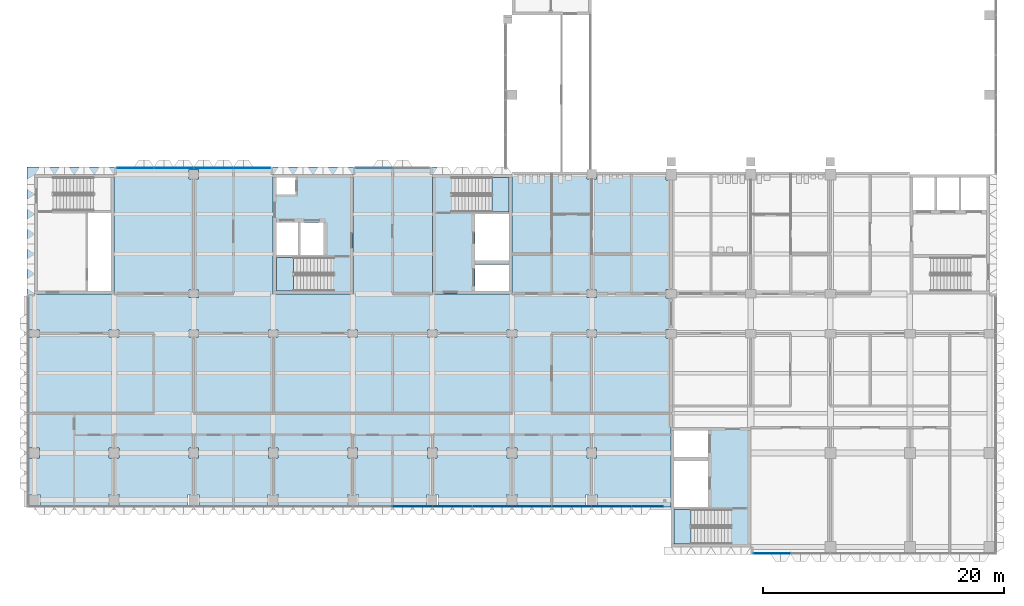
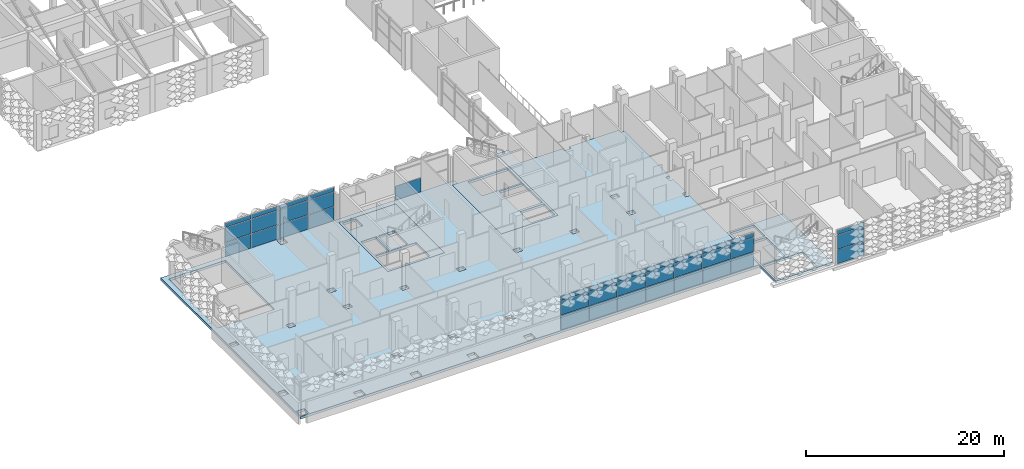
# One storey, part 34 of 102: 37 plates, 7 slabs, 7 elements without a shape of their own.
"""IFC4 building model written with IfcOpenShell, lengths in metres."""

from ifc_helpers import new_model, si_unit, direction, frame, origin, origin_2d, place, context, subcontext, project, spatial, polyline, rectangle, outline, extrude, material, layer, layer_set, type_object, element, aggregate, save


model = new_model("IFC4")

# Units and contexts
model_context = context("Model", 3, precision=1e-05, world=origin(), true_north=direction((0.0, 1.0)))
body_context = subcontext(model_context, "Body", "Model", "MODEL_VIEW")
ifc_project = project(units=[si_unit("LENGTHUNIT", "METRE"), si_unit("AREAUNIT", "SQUARE_METRE"), si_unit("VOLUMEUNIT", "CUBIC_METRE"), si_unit("PLANEANGLEUNIT", "RADIAN"), si_unit("MASSUNIT", "GRAM", prefix="KILO")], contexts=[model_context])

# Site, building, storey
site_placement = place(None, origin())
site = spatial("IfcSite", under=ifc_project, at=site_placement, CompositionType="ELEMENT")
building_placement = place(site_placement, origin())
building = spatial("IfcBuilding", under=site, at=building_placement, Name="Lantern Court Research Institute", CompositionType="ELEMENT")
storey_placement = place(building_placement, frame((0.0, 0.0, 9.89990234375)))
storey = spatial("IfcBuildingStorey", under=building, at=storey_placement, Name="L02", CompositionType="ELEMENT", Elevation=9.89990234375)

# Curtain wall, plates
ifc_material_1 = material(Name="Aluminium alloy 6063-T6", Category="aluminium")
curtain_wall_type_1 = type_object("IfcCurtainWallType", Name="Curtain wall 52800 x 4200 x 150 aluminium frame", PredefinedType="NOTDEFINED", material=ifc_material_1)
curtain_wall_1_placement = place(storey_placement, origin())
curtain_wall_1 = element("IfcCurtainWall", 1, at=curtain_wall_1_placement, inside=storey, type_object=curtain_wall_type_1, Name="Curtain wall CW041", PredefinedType="NOTDEFINED")
ifc_material_2 = material(Name="Insulated aluminium spandrel panel", Category="aluminium")
ifc_layer_1 = layer(ifc_material_2, 0.10009765625)
ifc_layer_set_1 = layer_set([ifc_layer_1], Name="Insulated aluminium spandrel panel")
plate_type_1 = type_object("IfcPlateType", Name="Insulated spandrel panel 100 mm for south sun", PredefinedType="CURTAIN_PANEL", material=ifc_layer_set_1)
plate_1_placement = place(storey_placement, frame((31.35009765625, -4.425048828125, 0.06005859375), z_axis=(0.0, 0.0, 1.0), x_axis=(-1.0, 0.0, 0.0)))
plate_1 = element("IfcPlate", 2, at=plate_1_placement, type_object=plate_type_1, Name="CW041 spandrel panel 10.1", PredefinedType="CURTAIN_PANEL", context=body_context, shape_type="SweptSolid", body=[
    extrude(rectangle(XDim=3.239990234375, YDim=0.10009765625, at=origin_2d()), origin(), (0.0, 0.0, 1.0), 1.7099609375),
])
plate_2_placement = place(storey_placement, frame((34.64990234375, -4.425048828125, 0.06005859375), z_axis=(0.0, 0.0, 1.0), x_axis=(-1.0, 0.0, 0.0)))
plate_2 = element("IfcPlate", 3, at=plate_2_placement, type_object=plate_type_1, Name="CW041 spandrel panel 11.1", PredefinedType="CURTAIN_PANEL", context=body_context, shape_type="SweptSolid", body=[
    extrude(rectangle(XDim=3.239990234375, YDim=0.10009765625, at=origin_2d()), origin(), (0.0, 0.0, 1.0), 1.7099609375),
])
plate_3_placement = place(storey_placement, frame((37.949951171875, -4.425048828125, 0.06005859375), z_axis=(0.0, 0.0, 1.0), x_axis=(-1.0, 0.0, 0.0)))
plate_3 = element("IfcPlate", 4, at=plate_3_placement, type_object=plate_type_1, Name="CW041 spandrel panel 12.1", PredefinedType="CURTAIN_PANEL", context=body_context, shape_type="SweptSolid", body=[
    extrude(rectangle(XDim=3.239990234375, YDim=0.10009765625, at=origin_2d()), origin(), (0.0, 0.0, 1.0), 1.7099609375),
])
plate_4_placement = place(storey_placement, frame((41.25, -4.425048828125, 0.06005859375), z_axis=(0.0, 0.0, 1.0), x_axis=(-1.0, 0.0, 0.0)))
plate_4 = element("IfcPlate", 5, at=plate_4_placement, type_object=plate_type_1, Name="CW041 spandrel panel 13.1", PredefinedType="CURTAIN_PANEL", context=body_context, shape_type="SweptSolid", body=[
    extrude(rectangle(XDim=3.239990234375, YDim=0.10009765625, at=origin_2d()), origin(), (0.0, 0.0, 1.0), 1.7099609375),
])
plate_5_placement = place(storey_placement, frame((44.550048828125, -4.425048828125, 0.06005859375), z_axis=(0.0, 0.0, 1.0), x_axis=(-1.0, 0.0, 0.0)))
plate_5 = element("IfcPlate", 6, at=plate_5_placement, type_object=plate_type_1, Name="CW041 spandrel panel 14.1", PredefinedType="CURTAIN_PANEL", context=body_context, shape_type="SweptSolid", body=[
    extrude(rectangle(XDim=3.239990234375, YDim=0.10009765625, at=origin_2d()), origin(), (0.0, 0.0, 1.0), 1.7099609375),
])
plate_6_placement = place(storey_placement, frame((47.85009765625, -4.425048828125, 0.06005859375), z_axis=(0.0, 0.0, 1.0), x_axis=(-1.0, 0.0, 0.0)))
plate_6 = element("IfcPlate", 7, at=plate_6_placement, type_object=plate_type_1, Name="CW041 spandrel panel 15.1", PredefinedType="CURTAIN_PANEL", context=body_context, shape_type="SweptSolid", body=[
    extrude(rectangle(XDim=3.239990234375, YDim=0.10009765625, at=origin_2d()), origin(), (0.0, 0.0, 1.0), 1.7099609375),
])
plate_7_placement = place(storey_placement, frame((50.8349609375, -4.425048828125, 0.06005859375), z_axis=(0.0, 0.0, 1.0), x_axis=(-1.0, 0.0, 0.0)))
plate_7 = element("IfcPlate", 8, at=plate_7_placement, type_object=plate_type_1, Name="CW041 spandrel panel 16.1", PredefinedType="CURTAIN_PANEL", context=body_context, shape_type="SweptSolid", body=[
    extrude(rectangle(XDim=2.610107421875, YDim=0.10009765625, at=origin_2d()), origin(), (0.0, 0.0, 1.0), 1.7099609375),
])

# Curtain wall, plate
ifc_material_3 = material(Name="Aluminium alloy 6063-T6", Category="aluminium")
curtain_wall_type_2 = type_object("IfcCurtainWallType", Name="Curtain wall 20200 x 4200 x 150 aluminium frame", PredefinedType="NOTDEFINED", material=ifc_material_3)
curtain_wall_2_placement = place(storey_placement, origin())
curtain_wall_2 = element("IfcCurtainWall", 9, at=curtain_wall_2_placement, inside=storey, type_object=curtain_wall_type_2, Name="Curtain wall CW044", PredefinedType="NOTDEFINED")
plate_8_placement = place(storey_placement, frame((61.1650390625, -8.324951171875, 0.06005859375), z_axis=(0.0, 0.0, 1.0), x_axis=(-1.0, 0.0, 0.0)))
plate_8 = element("IfcPlate", 10, at=plate_8_placement, type_object=plate_type_1, Name="CW044 spandrel panel 1.1", PredefinedType="CURTAIN_PANEL", context=body_context, shape_type="SweptSolid", body=[
    extrude(rectangle(XDim=3.010009765625, YDim=0.10009765625, at=origin_2d()), origin(), (0.0, 0.0, 1.0), 1.7099609375),
])

# Curtain wall, plates
ifc_material_4 = material(Name="Aluminium alloy 6063-T6", Category="aluminium")
curtain_wall_type_3 = type_object("IfcCurtainWallType", Name="Curtain wall 12800 x 4200 x 150 aluminium frame", PredefinedType="NOTDEFINED", material=ifc_material_4)
curtain_wall_3_placement = place(storey_placement, origin())
curtain_wall_3 = element("IfcCurtainWall", 11, at=curtain_wall_3_placement, inside=storey, type_object=curtain_wall_type_3, Name="Curtain wall CW039", PredefinedType="NOTDEFINED")
ifc_material_5 = material(Name="Insulated aluminium spandrel panel", Category="aluminium")
ifc_layer_2 = layer(ifc_material_5, 0.06005859375)
ifc_layer_set_2 = layer_set([ifc_layer_2], Name="Insulated aluminium spandrel panel")
plate_type_2 = type_object("IfcPlateType", Name="Insulated spandrel panel 60 mm", PredefinedType="CURTAIN_PANEL", material=ifc_layer_set_2)
plate_9_placement = place(storey_placement, frame((8.364990234375, 23.625, 0.06005859375), z_axis=(0.0, 0.0, 1.0), x_axis=(1.0, 0.0, 0.0)))
plate_9 = element("IfcPlate", 12, at=plate_9_placement, type_object=plate_type_2, Name="CW039 spandrel panel 1.1", PredefinedType="CURTAIN_PANEL", context=body_context, shape_type="SweptSolid", body=[
    extrude(rectangle(XDim=3.010009765625, YDim=0.06005859375, at=origin_2d()), origin(), (0.0, 0.0, 1.0), 1.7099609375),
])
plate_10_placement = place(storey_placement, frame((11.550048828125, 23.625, 0.06005859375), z_axis=(0.0, 0.0, 1.0), x_axis=(1.0, 0.0, 0.0)))
plate_10 = element("IfcPlate", 13, at=plate_10_placement, type_object=plate_type_2, Name="CW039 spandrel panel 2.1", PredefinedType="CURTAIN_PANEL", context=body_context, shape_type="SweptSolid", body=[
    extrude(rectangle(XDim=3.239990234375, YDim=0.06005859375, at=origin_2d()), origin(), (0.0, 0.0, 1.0), 1.7099609375),
])
plate_11_placement = place(storey_placement, frame((14.85009765625, 23.625, 0.06005859375), z_axis=(0.0, 0.0, 1.0), x_axis=(1.0, 0.0, 0.0)))
plate_11 = element("IfcPlate", 14, at=plate_11_placement, type_object=plate_type_2, Name="CW039 spandrel panel 3.1", PredefinedType="CURTAIN_PANEL", context=body_context, shape_type="SweptSolid", body=[
    extrude(rectangle(XDim=3.239990234375, YDim=0.06005859375, at=origin_2d()), origin(), (0.0, 0.0, 1.0), 1.7099609375),
])
plate_12_placement = place(storey_placement, frame((18.034912109375, 23.625, 0.06005859375), z_axis=(0.0, 0.0, 1.0), x_axis=(1.0, 0.0, 0.0)))
plate_12 = element("IfcPlate", 15, at=plate_12_placement, type_object=plate_type_2, Name="CW039 spandrel panel 4.1", PredefinedType="CURTAIN_PANEL", context=body_context, shape_type="SweptSolid", body=[
    extrude(rectangle(XDim=3.010009765625, YDim=0.06005859375, at=origin_2d()), origin(), (0.0, 0.0, 1.0), 1.7099609375),
])

# Curtain wall, plate
ifc_material_6 = material(Name="Aluminium alloy 6063-T6", Category="aluminium")
curtain_wall_type_4 = type_object("IfcCurtainWallType", Name="Curtain wall 6200 x 4200 x 150 aluminium frame", PredefinedType="NOTDEFINED", material=ifc_material_6)
curtain_wall_4_placement = place(storey_placement, origin())
curtain_wall_4 = element("IfcCurtainWall", 16, at=curtain_wall_4_placement, inside=storey, type_object=curtain_wall_type_4, Name="Curtain wall CW040", PredefinedType="NOTDEFINED")
plate_13_placement = place(storey_placement, frame((28.1650390625, 23.625, 0.06005859375), z_axis=(0.0, 0.0, 1.0), x_axis=(1.0, 0.0, 0.0)))
plate_13 = element("IfcPlate", 17, at=plate_13_placement, type_object=plate_type_2, Name="CW040 spandrel panel 1.1", PredefinedType="CURTAIN_PANEL", context=body_context, shape_type="SweptSolid", body=[
    extrude(rectangle(XDim=3.010009765625, YDim=0.06005859375, at=origin_2d()), origin(), (0.0, 0.0, 1.0), 1.7099609375),
])
aggregate(curtain_wall_4, [plate_13])

# Plate
ifc_material_7 = material(Name="Laminated low-emissivity glass", Category="glass")
ifc_layer_3 = layer(ifc_material_7, 0.028076171875)
ifc_layer_set_3 = layer_set([ifc_layer_3], Name="Laminated low-emissivity glass")
plate_type_3 = type_object("IfcPlateType", Name="Laminated low-emissivity unit 28 mm", PredefinedType="CURTAIN_PANEL", material=ifc_layer_set_3)
plate_14_placement = place(storey_placement, frame((8.364990234375, 23.625, 1.830078125), z_axis=(0.0, 0.0, 1.0), x_axis=(1.0, 0.0, 0.0)))
plate_14 = element("IfcPlate", 18, at=plate_14_placement, type_object=plate_type_3, Name="CW039 glazed panel 1.2", PredefinedType="CURTAIN_PANEL", context=body_context, shape_type="SweptSolid", body=[
    extrude(rectangle(XDim=3.010009765625, YDim=0.028076171875, at=origin_2d()), origin(), (0.0, 0.0, 1.0), 1.739990234375),
])

plate_15_placement = place(storey_placement, frame((8.364990234375, 23.625, 3.6298828125), z_axis=(0.0, 0.0, 1.0), x_axis=(1.0, 0.0, 0.0)))
plate_15 = element("IfcPlate", 19, at=plate_15_placement, type_object=plate_type_3, Name="CW039 glazed panel 1.3", PredefinedType="CURTAIN_PANEL", context=body_context, shape_type="SweptSolid", body=[
    extrude(rectangle(XDim=3.010009765625, YDim=0.028076171875, at=origin_2d()), origin(), (0.0, 0.0, 1.0), 0.510009765625),
])

plate_16_placement = place(storey_placement, frame((11.550048828125, 23.625, 1.830078125), z_axis=(0.0, 0.0, 1.0), x_axis=(1.0, 0.0, 0.0)))
plate_16 = element("IfcPlate", 20, at=plate_16_placement, type_object=plate_type_3, Name="CW039 glazed panel 2.2", PredefinedType="CURTAIN_PANEL", context=body_context, shape_type="SweptSolid", body=[
    extrude(rectangle(XDim=3.239990234375, YDim=0.028076171875, at=origin_2d()), origin(), (0.0, 0.0, 1.0), 1.739990234375),
])

plate_17_placement = place(storey_placement, frame((11.550048828125, 23.625, 3.6298828125), z_axis=(0.0, 0.0, 1.0), x_axis=(1.0, 0.0, 0.0)))
plate_17 = element("IfcPlate", 21, at=plate_17_placement, type_object=plate_type_3, Name="CW039 glazed panel 2.3", PredefinedType="CURTAIN_PANEL", context=body_context, shape_type="SweptSolid", body=[
    extrude(rectangle(XDim=3.239990234375, YDim=0.028076171875, at=origin_2d()), origin(), (0.0, 0.0, 1.0), 0.510009765625),
])

plate_18_placement = place(storey_placement, frame((14.85009765625, 23.625, 1.830078125), z_axis=(0.0, 0.0, 1.0), x_axis=(1.0, 0.0, 0.0)))
plate_18 = element("IfcPlate", 22, at=plate_18_placement, type_object=plate_type_3, Name="CW039 glazed panel 3.2", PredefinedType="CURTAIN_PANEL", context=body_context, shape_type="SweptSolid", body=[
    extrude(rectangle(XDim=3.239990234375, YDim=0.028076171875, at=origin_2d()), origin(), (0.0, 0.0, 1.0), 1.739990234375),
])

plate_19_placement = place(storey_placement, frame((14.85009765625, 23.625, 3.6298828125), z_axis=(0.0, 0.0, 1.0), x_axis=(1.0, 0.0, 0.0)))
plate_19 = element("IfcPlate", 23, at=plate_19_placement, type_object=plate_type_3, Name="CW039 glazed panel 3.3", PredefinedType="CURTAIN_PANEL", context=body_context, shape_type="SweptSolid", body=[
    extrude(rectangle(XDim=3.239990234375, YDim=0.028076171875, at=origin_2d()), origin(), (0.0, 0.0, 1.0), 0.510009765625),
])

plate_20_placement = place(storey_placement, frame((18.034912109375, 23.625, 1.830078125), z_axis=(0.0, 0.0, 1.0), x_axis=(1.0, 0.0, 0.0)))
plate_20 = element("IfcPlate", 24, at=plate_20_placement, type_object=plate_type_3, Name="CW039 glazed panel 4.2", PredefinedType="CURTAIN_PANEL", context=body_context, shape_type="SweptSolid", body=[
    extrude(rectangle(XDim=3.010009765625, YDim=0.028076171875, at=origin_2d()), origin(), (0.0, 0.0, 1.0), 1.739990234375),
])

plate_21_placement = place(storey_placement, frame((18.034912109375, 23.625, 3.6298828125), z_axis=(0.0, 0.0, 1.0), x_axis=(1.0, 0.0, 0.0)))
plate_21 = element("IfcPlate", 25, at=plate_21_placement, type_object=plate_type_3, Name="CW039 glazed panel 4.3", PredefinedType="CURTAIN_PANEL", context=body_context, shape_type="SweptSolid", body=[
    extrude(rectangle(XDim=3.010009765625, YDim=0.028076171875, at=origin_2d()), origin(), (0.0, 0.0, 1.0), 0.510009765625),
])

aggregate(curtain_wall_3, [plate_9, plate_14, plate_15, plate_10, plate_16, plate_17, plate_11, plate_18, plate_19, plate_12, plate_20, plate_21])

# Slabs
ifc_material_8 = material(Name="Concrete C35/45", Category="concrete")
ifc_layer_4 = layer(ifc_material_8, 0.300048828125)
ifc_layer_set_4 = layer_set([ifc_layer_4], Name="Concrete C35/45")
slab_type_1 = type_object("IfcSlabType", Name="RC core floor slab 300", PredefinedType="FLOOR", material=ifc_layer_set_4)
slab_1_placement = place(storey_placement, frame((0.0, 0.0, -0.2998046875)))
element("IfcSlab", 26, at=slab_1_placement, inside=storey, type_object=slab_type_1, Name="Floor of core BC-M", PredefinedType="FLOOR", context=body_context, shape_type="SweptSolid", body=[
    extrude(outline(polyline([(19.800048828125, 13.199951171875), (26.39990234375, 13.199951171875), (26.39990234375, 23.10009765625), (19.800048828125, 23.10009765625), (19.800048828125, 13.199951171875)]), holes=[polyline([(24.800048828125, 16.199951171875), (20.050048828125, 16.199951171875), (20.050048828125, 13.449951171875), (24.800048828125, 13.449951171875), (24.800048828125, 16.199951171875)]), polyline([(20.050048828125, 16.39990234375), (21.85009765625, 16.39990234375), (21.85009765625, 19.10009765625), (20.050048828125, 19.10009765625), (20.050048828125, 16.39990234375)]), polyline([(22.050048828125, 16.39990234375), (23.949951171875, 16.39990234375), (23.949951171875, 19.10009765625), (22.050048828125, 19.10009765625), (22.050048828125, 16.39990234375)]), polyline([(21.64990234375, 21.449951171875), (20.050048828125, 21.449951171875), (20.050048828125, 22.85009765625), (21.64990234375, 22.85009765625), (21.64990234375, 21.449951171875)])]), origin(), (0.0, 0.0, 1.0), 0.2998046875),
])
slab_2_placement = place(storey_placement, frame((0.0, 0.0, -0.2998046875)))
element("IfcSlab", 27, at=slab_2_placement, inside=storey, type_object=slab_type_1, Name="Floor of core BC-E", PredefinedType="FLOOR", context=body_context, shape_type="SweptSolid", body=[
    extrude(outline(polyline([(33.0, 13.199951171875), (39.60009765625, 13.199951171875), (39.60009765625, 23.10009765625), (33.0, 23.10009765625), (33.0, 13.199951171875)]), holes=[polyline([(34.64990234375, 20.0), (39.35009765625, 20.0), (39.35009765625, 22.85009765625), (34.64990234375, 22.85009765625), (34.64990234375, 20.0)]), polyline([(36.550048828125, 13.449951171875), (39.35009765625, 13.449951171875), (39.35009765625, 15.64990234375), (36.550048828125, 15.64990234375), (36.550048828125, 13.449951171875)]), polyline([(39.35009765625, 15.949951171875), (36.550048828125, 15.949951171875), (36.550048828125, 19.800048828125), (39.35009765625, 19.800048828125), (39.35009765625, 15.949951171875)])]), origin(), (0.0, 0.0, 1.0), 0.2998046875),
])
slab_3_placement = place(storey_placement, frame((0.0, 0.0, -0.2998046875)))
element("IfcSlab", 28, at=slab_3_placement, inside=storey, type_object=slab_type_1, Name="Floor of core TC-W", PredefinedType="FLOOR", context=body_context, shape_type="SweptSolid", body=[
    extrude(outline(polyline([(52.800048828125, -7.800048828125), (59.39990234375, -7.800048828125), (59.39990234375, 2.10009765625), (52.800048828125, 2.10009765625), (52.800048828125, -7.800048828125)]), holes=[polyline([(57.75, -4.699951171875), (53.050048828125, -4.699951171875), (53.050048828125, -7.550048828125), (57.75, -7.550048828125), (57.75, -4.699951171875)]), polyline([(53.050048828125, -0.35009765625), (55.85009765625, -0.35009765625), (55.85009765625, 1.85009765625), (53.050048828125, 1.85009765625), (53.050048828125, -0.35009765625)]), polyline([(53.050048828125, -0.64990234375), (55.85009765625, -0.64990234375), (55.85009765625, -4.5), (53.050048828125, -4.5), (53.050048828125, -0.64990234375)])]), origin(), (0.0, 0.0, 1.0), 0.2998046875),
])
ifc_material_9 = material(Name="Concrete C35/45", Category="concrete")
ifc_layer_5 = layer(ifc_material_9, 0.300048828125)
ifc_layer_set_5 = layer_set([ifc_layer_5], Name="Concrete C35/45")
slab_type_2 = type_object("IfcSlabType", Name="RC floor slab 300", PredefinedType="FLOOR", material=ifc_layer_set_5)
slab_4_placement = place(storey_placement, frame((0.0, 0.0, -0.2998046875)))
element("IfcSlab", 29, at=slab_4_placement, inside=storey, type_object=slab_type_2, Name="Floor slab L02 Wet Laboratory Wing", PredefinedType="FLOOR", context=body_context, shape_type="SweptSolid", body=[
    extrude(outline(polyline([(-0.60009765625, -3.89990234375), (-0.60009765625, -4.5), (52.800048828125, -4.5), (52.800048828125, -3.89990234375), (52.800048828125, 2.10009765625), (52.800048828125, 9.550048828125), (52.35009765625, 9.550048828125), (52.35009765625, 10.25), (52.800048828125, 10.25), (52.800048828125, 12.85009765625), (52.35009765625, 12.85009765625), (52.35009765625, 13.550048828125), (52.800048828125, 13.550048828125), (52.800048828125, 22.64990234375), (52.35009765625, 22.64990234375), (52.35009765625, 23.10009765625), (46.60009765625, 23.10009765625), (46.60009765625, 22.699951171875), (45.800048828125, 22.699951171875), (45.800048828125, 23.10009765625), (39.60009765625, 23.10009765625), (39.60009765625, 13.199951171875), (33.0, 13.199951171875), (33.0, 23.10009765625), (33.60009765625, 23.10009765625), (33.60009765625, 23.699951171875), (-0.60009765625, 23.699951171875), (-0.60009765625, 23.10009765625), (-0.60009765625, -3.89990234375)]), holes=[polyline([(0.449951171875, -4.35009765625), (-0.449951171875, -4.35009765625), (-0.449951171875, -3.449951171875), (0.449951171875, -3.449951171875), (0.449951171875, -4.35009765625)]), polyline([(7.050048828125, -4.35009765625), (6.14990234375, -4.35009765625), (6.14990234375, -3.449951171875), (7.050048828125, -3.449951171875), (7.050048828125, -4.35009765625)]), polyline([(13.64990234375, -4.35009765625), (12.75, -4.35009765625), (12.75, -3.449951171875), (13.64990234375, -3.449951171875), (13.64990234375, -4.35009765625)]), polyline([(-0.39990234375, -0.39990234375), (-0.39990234375, 0.39990234375), (0.39990234375, 0.39990234375), (0.39990234375, -0.39990234375), (-0.39990234375, -0.39990234375)]), polyline([(6.199951171875, -0.39990234375), (6.199951171875, 0.39990234375), (7.0, 0.39990234375), (7.0, -0.39990234375), (6.199951171875, -0.39990234375)]), polyline([(13.60009765625, -0.39990234375), (12.800048828125, -0.39990234375), (12.800048828125, 0.39990234375), (13.60009765625, 0.39990234375), (13.60009765625, -0.39990234375)]), polyline([(19.39990234375, -0.39990234375), (19.39990234375, 0.39990234375), (20.199951171875, 0.39990234375), (20.199951171875, -0.39990234375), (19.39990234375, -0.39990234375)]), polyline([(-0.39990234375, 9.60009765625), (-0.39990234375, 10.199951171875), (0.39990234375, 10.199951171875), (0.39990234375, 9.60009765625), (-0.39990234375, 9.60009765625)]), polyline([(7.0, 9.60009765625), (6.199951171875, 9.60009765625), (6.199951171875, 10.199951171875), (7.0, 10.199951171875), (7.0, 9.60009765625)]), polyline([(12.800048828125, 9.60009765625), (12.800048828125, 10.199951171875), (13.60009765625, 10.199951171875), (13.60009765625, 9.60009765625), (12.800048828125, 9.60009765625)]), polyline([(12.800048828125, 12.89990234375), (12.800048828125, 13.5), (13.60009765625, 13.5), (13.60009765625, 12.89990234375), (12.800048828125, 12.89990234375)]), polyline([(6.60009765625, 13.199951171875), (0.0, 13.199951171875), (0.0, 23.10009765625), (6.60009765625, 23.10009765625), (6.60009765625, 13.199951171875)]), polyline([(13.60009765625, 22.699951171875), (12.800048828125, 22.699951171875), (12.800048828125, 23.5), (13.60009765625, 23.5), (13.60009765625, 22.699951171875)]), polyline([(19.35009765625, -4.35009765625), (19.35009765625, -3.449951171875), (20.25, -3.449951171875), (20.25, -4.35009765625), (19.35009765625, -4.35009765625)]), polyline([(26.85009765625, -4.35009765625), (25.949951171875, -4.35009765625), (25.949951171875, -3.449951171875), (26.85009765625, -3.449951171875), (26.85009765625, -4.35009765625)]), polyline([(32.550048828125, -4.35009765625), (32.550048828125, -3.449951171875), (33.449951171875, -3.449951171875), (33.449951171875, -4.35009765625), (32.550048828125, -4.35009765625)]), polyline([(39.14990234375, -4.35009765625), (39.14990234375, -3.449951171875), (40.050048828125, -3.449951171875), (40.050048828125, -4.35009765625), (39.14990234375, -4.35009765625)]), polyline([(26.800048828125, -0.39990234375), (26.0, -0.39990234375), (26.0, 0.39990234375), (26.800048828125, 0.39990234375), (26.800048828125, -0.39990234375)]), polyline([(32.60009765625, -0.39990234375), (32.60009765625, 0.39990234375), (33.39990234375, 0.39990234375), (33.39990234375, -0.39990234375), (32.60009765625, -0.39990234375)]), polyline([(39.199951171875, -0.39990234375), (39.199951171875, 0.39990234375), (40.0, 0.39990234375), (40.0, -0.39990234375), (39.199951171875, -0.39990234375)]), polyline([(20.199951171875, 9.60009765625), (19.39990234375, 9.60009765625), (19.39990234375, 10.199951171875), (20.199951171875, 10.199951171875), (20.199951171875, 9.60009765625)]), polyline([(26.800048828125, 9.60009765625), (26.0, 9.60009765625), (26.0, 10.199951171875), (26.800048828125, 10.199951171875), (26.800048828125, 9.60009765625)]), polyline([(33.39990234375, 9.60009765625), (32.60009765625, 9.60009765625), (32.60009765625, 10.199951171875), (33.39990234375, 10.199951171875), (33.39990234375, 9.60009765625)]), polyline([(39.199951171875, 9.60009765625), (39.199951171875, 10.199951171875), (40.0, 10.199951171875), (40.0, 9.60009765625), (39.199951171875, 9.60009765625)]), polyline([(19.800048828125, 13.199951171875), (19.800048828125, 23.10009765625), (26.39990234375, 23.10009765625), (26.39990234375, 13.199951171875), (19.800048828125, 13.199951171875)]), polyline([(46.64990234375, -4.35009765625), (45.75, -4.35009765625), (45.75, -3.449951171875), (46.64990234375, -3.449951171875), (46.64990234375, -4.35009765625)]), polyline([(45.800048828125, -0.39990234375), (45.800048828125, 0.39990234375), (46.60009765625, 0.39990234375), (46.60009765625, -0.39990234375), (45.800048828125, -0.39990234375)]), polyline([(46.60009765625, 9.60009765625), (45.800048828125, 9.60009765625), (45.800048828125, 10.199951171875), (46.60009765625, 10.199951171875), (46.60009765625, 9.60009765625)]), polyline([(46.60009765625, 12.89990234375), (45.800048828125, 12.89990234375), (45.800048828125, 13.5), (46.60009765625, 13.5), (46.60009765625, 12.89990234375)])]), origin(), (0.0, 0.0, 1.0), 0.2998046875),
])

# Stair, slab
ifc_material_10 = material(Name="Concrete C40/50", Category="concrete")
stair_type_1 = type_object("IfcStairType", Name="RC half-turn stair 1300 wide, 4500 rise, 6100 shaft", PredefinedType="HALF_TURN_STAIR", material=ifc_material_10)
stair_1_placement = place(storey_placement, origin())
stair_1 = element("IfcStair", 30, at=stair_1_placement, inside=storey, type_object=stair_type_1, Name="L02 stair ST-B2", PredefinedType="HALF_TURN_STAIR")
ifc_material_11 = material(Name="Concrete C40/50", Category="concrete")
ifc_layer_6 = layer(ifc_material_11, 0.199951171875)
ifc_layer_set_6 = layer_set([ifc_layer_6], Name="Concrete C40/50")
slab_type_3 = type_object("IfcSlabType", Name="RC stair landing 200", PredefinedType="LANDING", material=ifc_layer_set_6)
slab_5_placement = place(storey_placement, frame((0.0, 0.0, 2.050048828125)))
slab_5 = element("IfcSlab", 31, at=slab_5_placement, type_object=slab_type_3, Name="ST-B2 landing 1", PredefinedType="LANDING", context=body_context, shape_type="SweptSolid", body=[
    extrude(outline(polyline([(21.489990234375, 16.199951171875), (20.050048828125, 16.199951171875), (20.050048828125, 13.449951171875), (21.489990234375, 13.449951171875), (21.489990234375, 16.199951171875)])), origin(), (0.0, 0.0, 1.0), 0.199951171875),
])
aggregate(stair_1, [slab_5])

ifc_material_12 = material(Name="Concrete C40/50", Category="concrete")
stair_type_2 = type_object("IfcStairType", Name="RC half-turn stair 1350 wide, 4500 rise, 6100 shaft", PredefinedType="HALF_TURN_STAIR", material=ifc_material_12)
stair_2_placement = place(storey_placement, origin())
stair_2 = element("IfcStair", 32, at=stair_2_placement, inside=storey, type_object=stair_type_2, Name="L02 stair ST-B3", PredefinedType="HALF_TURN_STAIR")
slab_6_placement = place(storey_placement, frame((0.0, 0.0, 2.050048828125)))
slab_6 = element("IfcSlab", 33, at=slab_6_placement, type_object=slab_type_3, Name="ST-B3 landing 1", PredefinedType="LANDING", context=body_context, shape_type="SweptSolid", body=[
    extrude(outline(polyline([(37.9599609375, 20.0), (39.35009765625, 20.0), (39.35009765625, 22.85009765625), (37.9599609375, 22.85009765625), (37.9599609375, 20.0)])), origin(), (0.0, 0.0, 1.0), 0.199951171875),
])
aggregate(stair_2, [slab_6])

stair_3_placement = place(storey_placement, origin())
stair_3 = element("IfcStair", 34, at=stair_3_placement, inside=storey, type_object=stair_type_2, Name="L02 stair ST-T1", PredefinedType="HALF_TURN_STAIR")
slab_7_placement = place(storey_placement, frame((0.0, 0.0, 2.050048828125)))
slab_7 = element("IfcSlab", 35, at=slab_7_placement, type_object=slab_type_3, Name="ST-T1 landing 1", PredefinedType="LANDING", context=body_context, shape_type="SweptSolid", body=[
    extrude(outline(polyline([(54.43994140625, -4.699951171875), (53.050048828125, -4.699951171875), (53.050048828125, -7.550048828125), (54.43994140625, -7.550048828125), (54.43994140625, -4.699951171875)])), origin(), (0.0, 0.0, 1.0), 0.199951171875),
])
aggregate(stair_3, [slab_7])

# Plate
ifc_material_13 = material(Name="Laminated low-emissivity glass", Category="glass")
ifc_layer_7 = layer(ifc_material_13, 0.035888671875)
ifc_layer_set_7 = layer_set([ifc_layer_7], Name="Laminated low-emissivity glass")
plate_type_4 = type_object("IfcPlateType", Name="Solar control laminated unit 36 mm", PredefinedType="CURTAIN_PANEL", material=ifc_layer_set_7)
plate_22_placement = place(storey_placement, frame((31.35009765625, -4.425048828125, 1.830078125), z_axis=(0.0, 0.0, 1.0), x_axis=(-1.0, 0.0, 0.0)))
plate_22 = element("IfcPlate", 36, at=plate_22_placement, type_object=plate_type_4, Name="CW041 glazed panel 10.2", PredefinedType="CURTAIN_PANEL", context=body_context, shape_type="SweptSolid", body=[
    extrude(rectangle(XDim=3.239990234375, YDim=0.035888671875, at=origin_2d()), origin(), (0.0, 0.0, 1.0), 1.739990234375),
])

plate_23_placement = place(storey_placement, frame((31.35009765625, -4.425048828125, 3.6298828125), z_axis=(0.0, 0.0, 1.0), x_axis=(-1.0, 0.0, 0.0)))
plate_23 = element("IfcPlate", 37, at=plate_23_placement, type_object=plate_type_4, Name="CW041 glazed panel 10.3", PredefinedType="CURTAIN_PANEL", context=body_context, shape_type="SweptSolid", body=[
    extrude(rectangle(XDim=3.239990234375, YDim=0.035888671875, at=origin_2d()), origin(), (0.0, 0.0, 1.0), 0.510009765625),
])

plate_24_placement = place(storey_placement, frame((34.64990234375, -4.425048828125, 1.830078125), z_axis=(0.0, 0.0, 1.0), x_axis=(-1.0, 0.0, 0.0)))
plate_24 = element("IfcPlate", 38, at=plate_24_placement, type_object=plate_type_4, Name="CW041 glazed panel 11.2", PredefinedType="CURTAIN_PANEL", context=body_context, shape_type="SweptSolid", body=[
    extrude(rectangle(XDim=3.239990234375, YDim=0.035888671875, at=origin_2d()), origin(), (0.0, 0.0, 1.0), 1.739990234375),
])

plate_25_placement = place(storey_placement, frame((34.64990234375, -4.425048828125, 3.6298828125), z_axis=(0.0, 0.0, 1.0), x_axis=(-1.0, 0.0, 0.0)))
plate_25 = element("IfcPlate", 39, at=plate_25_placement, type_object=plate_type_4, Name="CW041 glazed panel 11.3", PredefinedType="CURTAIN_PANEL", context=body_context, shape_type="SweptSolid", body=[
    extrude(rectangle(XDim=3.239990234375, YDim=0.035888671875, at=origin_2d()), origin(), (0.0, 0.0, 1.0), 0.510009765625),
])

plate_26_placement = place(storey_placement, frame((37.949951171875, -4.425048828125, 1.830078125), z_axis=(0.0, 0.0, 1.0), x_axis=(-1.0, 0.0, 0.0)))
plate_26 = element("IfcPlate", 40, at=plate_26_placement, type_object=plate_type_4, Name="CW041 glazed panel 12.2", PredefinedType="CURTAIN_PANEL", context=body_context, shape_type="SweptSolid", body=[
    extrude(rectangle(XDim=3.239990234375, YDim=0.035888671875, at=origin_2d()), origin(), (0.0, 0.0, 1.0), 1.739990234375),
])

plate_27_placement = place(storey_placement, frame((37.949951171875, -4.425048828125, 3.6298828125), z_axis=(0.0, 0.0, 1.0), x_axis=(-1.0, 0.0, 0.0)))
plate_27 = element("IfcPlate", 41, at=plate_27_placement, type_object=plate_type_4, Name="CW041 glazed panel 12.3", PredefinedType="CURTAIN_PANEL", context=body_context, shape_type="SweptSolid", body=[
    extrude(rectangle(XDim=3.239990234375, YDim=0.035888671875, at=origin_2d()), origin(), (0.0, 0.0, 1.0), 0.510009765625),
])

plate_28_placement = place(storey_placement, frame((41.25, -4.425048828125, 1.830078125), z_axis=(0.0, 0.0, 1.0), x_axis=(-1.0, 0.0, 0.0)))
plate_28 = element("IfcPlate", 42, at=plate_28_placement, type_object=plate_type_4, Name="CW041 glazed panel 13.2", PredefinedType="CURTAIN_PANEL", context=body_context, shape_type="SweptSolid", body=[
    extrude(rectangle(XDim=3.239990234375, YDim=0.035888671875, at=origin_2d()), origin(), (0.0, 0.0, 1.0), 1.739990234375),
])

plate_29_placement = place(storey_placement, frame((41.25, -4.425048828125, 3.6298828125), z_axis=(0.0, 0.0, 1.0), x_axis=(-1.0, 0.0, 0.0)))
plate_29 = element("IfcPlate", 43, at=plate_29_placement, type_object=plate_type_4, Name="CW041 glazed panel 13.3", PredefinedType="CURTAIN_PANEL", context=body_context, shape_type="SweptSolid", body=[
    extrude(rectangle(XDim=3.239990234375, YDim=0.035888671875, at=origin_2d()), origin(), (0.0, 0.0, 1.0), 0.510009765625),
])

plate_30_placement = place(storey_placement, frame((44.550048828125, -4.425048828125, 1.830078125), z_axis=(0.0, 0.0, 1.0), x_axis=(-1.0, 0.0, 0.0)))
plate_30 = element("IfcPlate", 44, at=plate_30_placement, type_object=plate_type_4, Name="CW041 glazed panel 14.2", PredefinedType="CURTAIN_PANEL", context=body_context, shape_type="SweptSolid", body=[
    extrude(rectangle(XDim=3.239990234375, YDim=0.035888671875, at=origin_2d()), origin(), (0.0, 0.0, 1.0), 1.739990234375),
])

plate_31_placement = place(storey_placement, frame((44.550048828125, -4.425048828125, 3.6298828125), z_axis=(0.0, 0.0, 1.0), x_axis=(-1.0, 0.0, 0.0)))
plate_31 = element("IfcPlate", 45, at=plate_31_placement, type_object=plate_type_4, Name="CW041 glazed panel 14.3", PredefinedType="CURTAIN_PANEL", context=body_context, shape_type="SweptSolid", body=[
    extrude(rectangle(XDim=3.239990234375, YDim=0.035888671875, at=origin_2d()), origin(), (0.0, 0.0, 1.0), 0.510009765625),
])

plate_32_placement = place(storey_placement, frame((47.85009765625, -4.425048828125, 1.830078125), z_axis=(0.0, 0.0, 1.0), x_axis=(-1.0, 0.0, 0.0)))
plate_32 = element("IfcPlate", 46, at=plate_32_placement, type_object=plate_type_4, Name="CW041 glazed panel 15.2", PredefinedType="CURTAIN_PANEL", context=body_context, shape_type="SweptSolid", body=[
    extrude(rectangle(XDim=3.239990234375, YDim=0.035888671875, at=origin_2d()), origin(), (0.0, 0.0, 1.0), 1.739990234375),
])

plate_33_placement = place(storey_placement, frame((47.85009765625, -4.425048828125, 3.6298828125), z_axis=(0.0, 0.0, 1.0), x_axis=(-1.0, 0.0, 0.0)))
plate_33 = element("IfcPlate", 47, at=plate_33_placement, type_object=plate_type_4, Name="CW041 glazed panel 15.3", PredefinedType="CURTAIN_PANEL", context=body_context, shape_type="SweptSolid", body=[
    extrude(rectangle(XDim=3.239990234375, YDim=0.035888671875, at=origin_2d()), origin(), (0.0, 0.0, 1.0), 0.510009765625),
])

plate_34_placement = place(storey_placement, frame((50.8349609375, -4.425048828125, 1.830078125), z_axis=(0.0, 0.0, 1.0), x_axis=(-1.0, 0.0, 0.0)))
plate_34 = element("IfcPlate", 48, at=plate_34_placement, type_object=plate_type_4, Name="CW041 glazed panel 16.2", PredefinedType="CURTAIN_PANEL", context=body_context, shape_type="SweptSolid", body=[
    extrude(rectangle(XDim=2.610107421875, YDim=0.035888671875, at=origin_2d()), origin(), (0.0, 0.0, 1.0), 1.739990234375),
])

plate_35_placement = place(storey_placement, frame((50.8349609375, -4.425048828125, 3.6298828125), z_axis=(0.0, 0.0, 1.0), x_axis=(-1.0, 0.0, 0.0)))
plate_35 = element("IfcPlate", 49, at=plate_35_placement, type_object=plate_type_4, Name="CW041 glazed panel 16.3", PredefinedType="CURTAIN_PANEL", context=body_context, shape_type="SweptSolid", body=[
    extrude(rectangle(XDim=2.610107421875, YDim=0.035888671875, at=origin_2d()), origin(), (0.0, 0.0, 1.0), 0.510009765625),
])

aggregate(curtain_wall_1, [plate_1, plate_22, plate_23, plate_2, plate_24, plate_25, plate_3, plate_26, plate_27, plate_4, plate_28, plate_29, plate_5, plate_30, plate_31, plate_6, plate_32, plate_33, plate_7, plate_34, plate_35])

plate_36_placement = place(storey_placement, frame((61.1650390625, -8.324951171875, 1.830078125), z_axis=(0.0, 0.0, 1.0), x_axis=(-1.0, 0.0, 0.0)))
plate_36 = element("IfcPlate", 50, at=plate_36_placement, type_object=plate_type_4, Name="CW044 glazed panel 1.2", PredefinedType="CURTAIN_PANEL", context=body_context, shape_type="SweptSolid", body=[
    extrude(rectangle(XDim=3.010009765625, YDim=0.035888671875, at=origin_2d()), origin(), (0.0, 0.0, 1.0), 1.739990234375),
])

plate_37_placement = place(storey_placement, frame((61.1650390625, -8.324951171875, 3.6298828125), z_axis=(0.0, 0.0, 1.0), x_axis=(-1.0, 0.0, 0.0)))
plate_37 = element("IfcPlate", 51, at=plate_37_placement, type_object=plate_type_4, Name="CW044 glazed panel 1.3", PredefinedType="CURTAIN_PANEL", context=body_context, shape_type="SweptSolid", body=[
    extrude(rectangle(XDim=3.010009765625, YDim=0.035888671875, at=origin_2d()), origin(), (0.0, 0.0, 1.0), 0.510009765625),
])

aggregate(curtain_wall_2, [plate_8, plate_36, plate_37])

save(model, "model.ifc")
